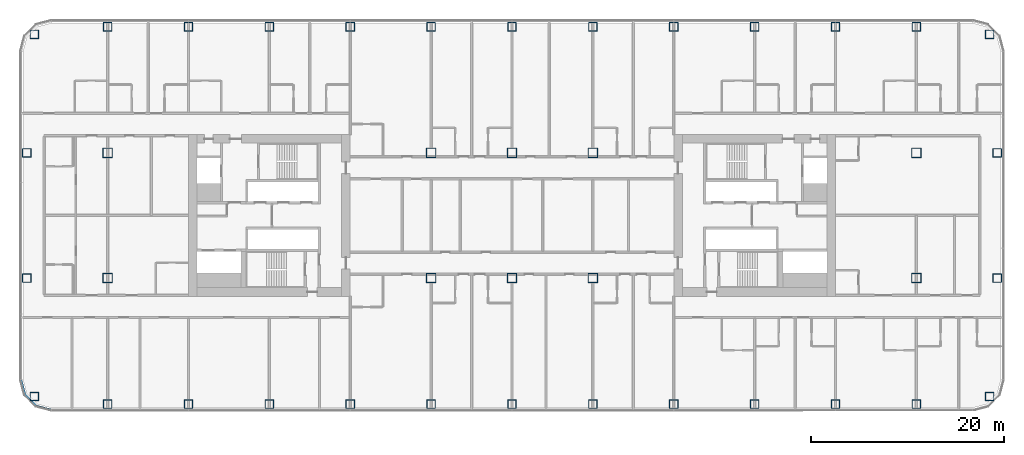
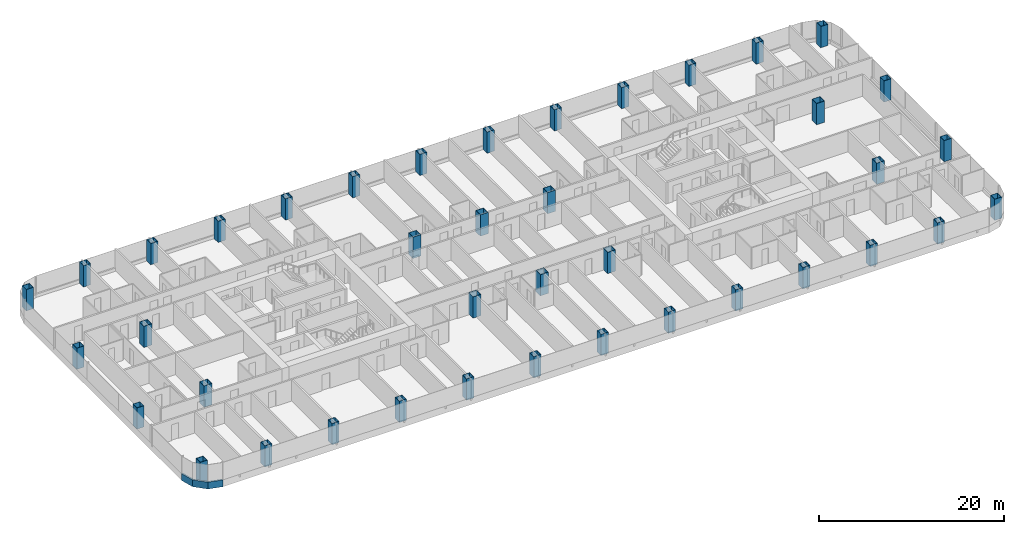
# One storey, part 1 of 28: 40 columns, 1 member, 1 element without a shape of its own.
"""IFC4 building model written with IfcOpenShell, lengths in metres."""

from ifc_helpers import new_model, si_unit, direction, frame, origin, origin_2d, place, context, subcontext, project, spatial, polyline, rectangle, hollow_rectangle, outline, extrude, material, layer, layer_set, material_profile, profile_set, type_object, element, aggregate, save


model = new_model("IFC4")

# Units and contexts
model_context = context("Model", 3, precision=1e-05, world=origin(), true_north=direction((0.0, 1.0)))
body_context = subcontext(model_context, "Body", "Model", "MODEL_VIEW")
ifc_project = project(units=[si_unit("LENGTHUNIT", "METRE"), si_unit("AREAUNIT", "SQUARE_METRE"), si_unit("VOLUMEUNIT", "CUBIC_METRE"), si_unit("PLANEANGLEUNIT", "RADIAN"), si_unit("MASSUNIT", "GRAM", prefix="KILO")], contexts=[model_context])

# Site, building, storey
site_placement = place(None, origin())
site = spatial("IfcSite", under=ifc_project, at=site_placement, CompositionType="ELEMENT")
building_placement = place(site_placement, origin())
building = spatial("IfcBuilding", under=site, at=building_placement, Name="Hakoniwa Tower and Hamabe Station Hall", CompositionType="ELEMENT")
storey_placement = place(building_placement, frame((0.0, 0.0, 42.199951171875)))
storey = spatial("IfcBuildingStorey", under=building, at=storey_placement, Name="L11", CompositionType="ELEMENT", Elevation=42.199951171875)

# Columns
ifc_material_1 = material(Name="Steel SN490C", Category="steel")
ifc_material_profile_1 = material_profile(ifc_material_1, hollow_rectangle(XDim=1.0, YDim=1.0, WallThickness=0.0400390625, at=origin_2d()), Name="BX-1000x1000x40")
ifc_profile_set_1 = profile_set([ifc_material_profile_1], Name="Steel SN490C")
column_type_1 = type_object("IfcColumnType", Name="COLUMN BX-1000x1000x40", PredefinedType="COLUMN", material=ifc_profile_set_1)
for number, where, z_axis, x_axis, name in (
    (1, (-42.0, -6.5, 0.0), (0.0, 0.0, 1.0), (1.0, 0.0, 0.0), "Column B1-2-C1"),
    (2, (-42.0, 6.5, 0.0), (0.0, 0.0, 1.0), (1.0, 0.0, 0.0), "Column B1-2-E1"),
    (3, (-8.39990234375, -6.5, 0.0), (0.0, 0.0, 1.0), (1.0, 0.0, 0.0), "Column B1-6-C1"),
    (4, (-8.39990234375, 6.5, 0.0), (0.0, 0.0, 1.0), (1.0, 0.0, 0.0), "Column B1-6-E1"),
    (5, (0.0, -6.5, 0.0), (0.0, 0.0, 1.0), (1.0, 0.0, 0.0), "Column B1-7-C1"),
    (6, (0.0, 6.5, 0.0), (0.0, 0.0, 1.0), (1.0, 0.0, 0.0), "Column B1-7-E1"),
    (7, (8.39990234375, -6.5, 0.0), (0.0, 0.0, 1.0), (1.0, 0.0, 0.0), "Column B1-8-C1"),
    (8, (8.39990234375, 6.5, 0.0), (0.0, 0.0, 1.0), (1.0, 0.0, 0.0), "Column B1-8-E1"),
    (9, (42.0, -6.5, 0.0), (0.0, 0.0, 1.0), (1.0, 0.0, 0.0), "Column B1-12-C1"),
    (10, (42.0, 6.5, 0.0), (0.0, 0.0, 1.0), (1.0, 0.0, 0.0), "Column B1-12-E1"),
):
    element("IfcColumn", number, at=place(storey_placement, frame(where, z_axis=z_axis, x_axis=x_axis)), inside=storey, type_object=column_type_1, Name=name, PredefinedType="COLUMN", context=body_context, shape_type="SweptSolid", body=[
        extrude(hollow_rectangle(XDim=1.0, YDim=1.0, WallThickness=0.0400390625, at=origin_2d()), origin(), (0.0, 0.0, 1.0), 2.800048828125),
    ])
ifc_material_2 = material(Name="Steel SN490C", Category="steel")
ifc_material_profile_2 = material_profile(ifc_material_2, hollow_rectangle(XDim=0.89990234375, YDim=0.89990234375, WallThickness=0.035888671875, at=origin_2d()), Name="BX-900x900x36")
ifc_profile_set_2 = profile_set([ifc_material_profile_2], Name="Steel SN490C")
column_type_2 = type_object("IfcColumnType", Name="COLUMN BX-900x900x36", PredefinedType="COLUMN", material=ifc_profile_set_2)
for number, where, z_axis, x_axis, name in (
    (11, (-49.60302734375, -18.802978515625, 0.0), (0.0, 0.0, 1.0), (1.0, 0.0, 0.0), "Column B1-1-A1"),
    (12, (-50.39990234375, -6.5, 0.0), (0.0, 0.0, 1.0), (1.0, 0.0, 0.0), "Column B1-1-C1"),
    (13, (-50.39990234375, 6.5, 0.0), (0.0, 0.0, 1.0), (1.0, 0.0, 0.0), "Column B1-1-E1"),
    (14, (-49.60302734375, 18.802978515625, 0.0), (0.0, 0.0, 1.0), (1.0, 0.0, 0.0), "Column B1-1-G1"),
    (15, (-42.0, -19.60009765625, 0.0), (0.0, 0.0, 1.0), (1.0, 0.0, 0.0), "Column B1-2-A1"),
    (16, (-42.0, 19.60009765625, 0.0), (0.0, 0.0, 1.0), (1.0, 0.0, 0.0), "Column B1-2-G1"),
    (17, (-33.60009765625, -19.60009765625, 0.0), (0.0, 0.0, 1.0), (1.0, 0.0, 0.0), "Column B1-3-A1"),
    (18, (-33.60009765625, 19.60009765625, 0.0), (0.0, 0.0, 1.0), (1.0, 0.0, 0.0), "Column B1-3-G1"),
    (19, (-25.199951171875, -19.60009765625, 0.0), (0.0, 0.0, 1.0), (1.0, 0.0, 0.0), "Column B1-4-A1"),
    (20, (-25.199951171875, 19.60009765625, 0.0), (0.0, 0.0, 1.0), (1.0, 0.0, 0.0), "Column B1-4-G1"),
    (21, (-16.800048828125, -19.60009765625, 0.0), (0.0, 0.0, 1.0), (1.0, 0.0, 0.0), "Column B1-5-A1"),
    (22, (-16.800048828125, 19.60009765625, 0.0), (0.0, 0.0, 1.0), (1.0, 0.0, 0.0), "Column B1-5-G1"),
    (23, (-8.39990234375, -19.60009765625, 0.0), (0.0, 0.0, 1.0), (1.0, 0.0, 0.0), "Column B1-6-A1"),
    (24, (-8.39990234375, 19.60009765625, 0.0), (0.0, 0.0, 1.0), (1.0, 0.0, 0.0), "Column B1-6-G1"),
    (25, (0.0, -19.60009765625, 0.0), (0.0, 0.0, 1.0), (1.0, 0.0, 0.0), "Column B1-7-A1"),
    (26, (0.0, 19.60009765625, 0.0), (0.0, 0.0, 1.0), (1.0, 0.0, 0.0), "Column B1-7-G1"),
    (27, (8.39990234375, -19.60009765625, 0.0), (0.0, 0.0, 1.0), (1.0, 0.0, 0.0), "Column B1-8-A1"),
    (28, (8.39990234375, 19.60009765625, 0.0), (0.0, 0.0, 1.0), (1.0, 0.0, 0.0), "Column B1-8-G1"),
    (29, (16.800048828125, -19.60009765625, 0.0), (0.0, 0.0, 1.0), (1.0, 0.0, 0.0), "Column B1-9-A1"),
    (30, (16.800048828125, 19.60009765625, 0.0), (0.0, 0.0, 1.0), (1.0, 0.0, 0.0), "Column B1-9-G1"),
    (31, (25.199951171875, -19.60009765625, 0.0), (0.0, 0.0, 1.0), (1.0, 0.0, 0.0), "Column B1-10-A1"),
    (32, (25.199951171875, 19.60009765625, 0.0), (0.0, 0.0, 1.0), (1.0, 0.0, 0.0), "Column B1-10-G1"),
    (33, (33.60009765625, -19.60009765625, 0.0), (0.0, 0.0, 1.0), (1.0, 0.0, 0.0), "Column B1-11-A1"),
    (34, (33.60009765625, 19.60009765625, 0.0), (0.0, 0.0, 1.0), (1.0, 0.0, 0.0), "Column B1-11-G1"),
    (35, (42.0, -19.60009765625, 0.0), (0.0, 0.0, 1.0), (1.0, 0.0, 0.0), "Column B1-12-A1"),
    (36, (42.0, 19.60009765625, 0.0), (0.0, 0.0, 1.0), (1.0, 0.0, 0.0), "Column B1-12-G1"),
    (37, (49.60302734375, -18.802978515625, 0.0), (0.0, 0.0, 1.0), (1.0, 0.0, 0.0), "Column B1-13-A1"),
    (38, (50.39990234375, -6.5, 0.0), (0.0, 0.0, 1.0), (1.0, 0.0, 0.0), "Column B1-13-C1"),
    (39, (50.39990234375, 6.5, 0.0), (0.0, 0.0, 1.0), (1.0, 0.0, 0.0), "Column B1-13-E1"),
    (40, (49.60302734375, 18.802978515625, 0.0), (0.0, 0.0, 1.0), (1.0, 0.0, 0.0), "Column B1-13-G1"),
):
    element("IfcColumn", number, at=place(storey_placement, frame(where, z_axis=z_axis, x_axis=x_axis)), inside=storey, type_object=column_type_2, Name=name, PredefinedType="COLUMN", context=body_context, shape_type="SweptSolid", body=[
        extrude(hollow_rectangle(XDim=0.89990234375, YDim=0.89990234375, WallThickness=0.035888671875, at=origin_2d()), origin(), (0.0, 0.0, 1.0), 2.800048828125),
    ])

# Curtain wall, member
ifc_material_3 = material(Name="Dark low-e laminated glass", Category="glass")
ifc_layer = layer(ifc_material_3, 0.199951171875)
ifc_layer_set = layer_set([ifc_layer], Name="CW-1 UNITISED GUEST")
curtain_wall_type = type_object("IfcCurtainWallType", Name="CW-1 UNITISED GUEST", PredefinedType="NOTDEFINED", material=ifc_layer_set)
curtain_wall_placement = place(storey_placement, origin())
curtain_wall = element("IfcCurtainWall", 41, at=curtain_wall_placement, inside=storey, type_object=curtain_wall_type, Name="CW-1 curtain wall", PredefinedType="NOTDEFINED")
ifc_material_4 = material(Name="Aluminium 6063-T5 black anodised", Category="aluminium")
ifc_material_profile_3 = material_profile(ifc_material_4, rectangle(XDim=0.199951171875, YDim=0.89990234375, at=origin_2d()), Name="CW SLAB-EDGE BAND 900X200")
ifc_profile_set_3 = profile_set([ifc_material_profile_3], Name="Aluminium 6063-T5 black anodised")
member_type = type_object("IfcMemberType", Name="CW SLAB-EDGE BAND 900X200", PredefinedType="USERDEFINED", material=ifc_profile_set_3)
member_placement = place(storey_placement, frame((0.0, 0.0, -0.550048828125)))
member = element("IfcMember", 42, at=member_placement, type_object=member_type, Name="CW-1 transom", ObjectType="TRANSOM", PredefinedType="USERDEFINED", context=body_context, shape_type="SweptSolid", body=[
    extrude(outline(polyline([(-51.10009765625, -17.03955078125), (-50.6669921875, -18.6552734375), (-49.455322265625, -19.866943359375), (-47.839599609375, -20.300048828125), (-47.787841796875, -20.10693359375), (-49.351806640625, -19.687744140625), (-50.48779296875, -18.5517578125), (-50.90673828125, -16.98779296875), (-51.10009765625, -17.03955078125)])), origin(), (0.0, 0.0, 1.0), 0.900146484375),
])
aggregate(curtain_wall, [member])

save(model, "model.ifc")
